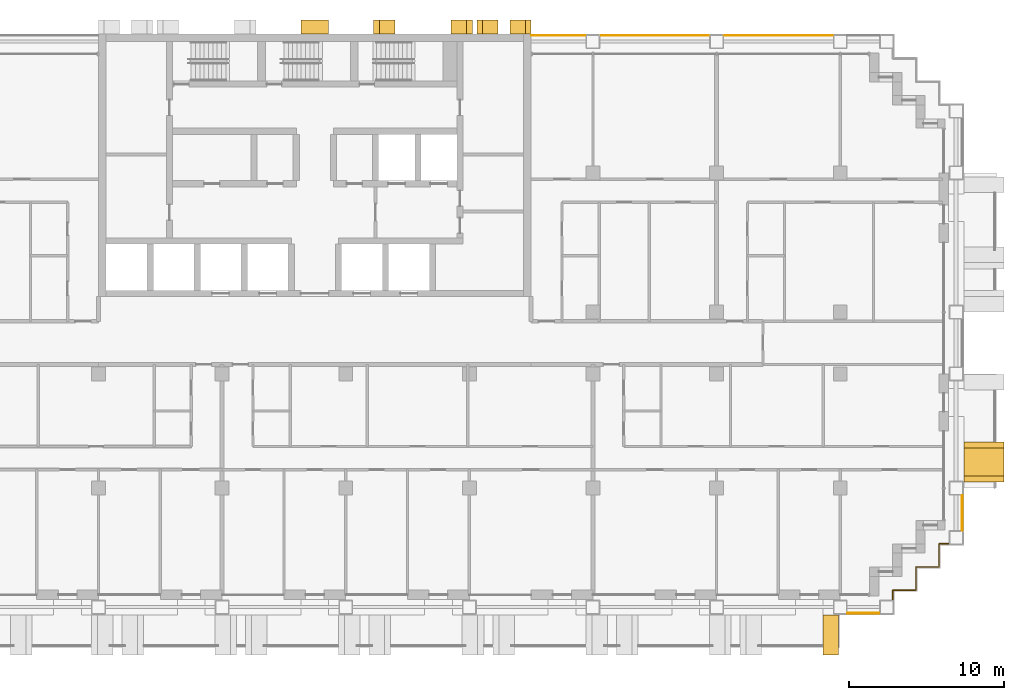
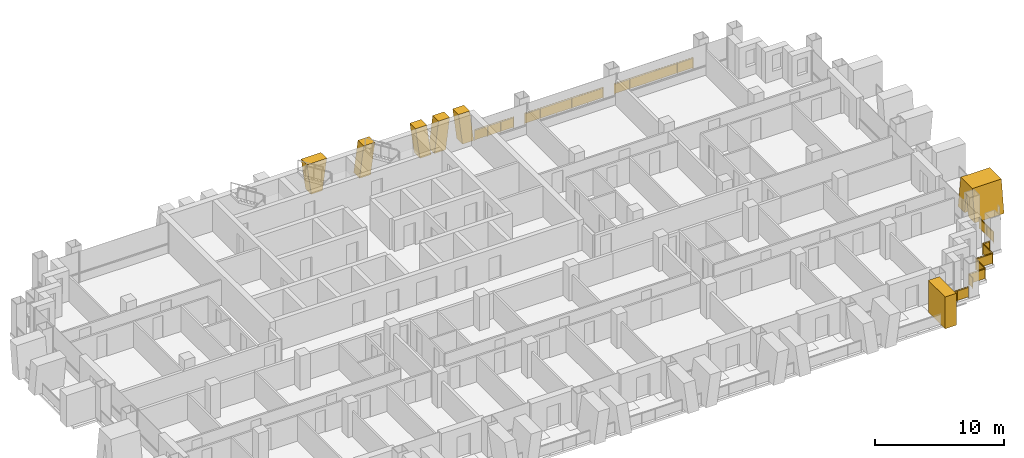
# One storey, part 18 of 19: 7 shading devices, 6 railings.
"""IFC4 building model written with IfcOpenShell, lengths in metres."""

from ifc_helpers import new_model, si_unit, direction, frame, origin, origin_2d, place, context, subcontext, project, spatial, polyline, rectangle, circle, outline, extrude, material, layer, layer_set, type_object, element, save


model = new_model("IFC4")

# Units and contexts
model_context = context("Model", 3, precision=1e-05, world=origin(), true_north=direction((0.0, 1.0)))
body_context = subcontext(model_context, "Body", "Model", "MODEL_VIEW")
ifc_project = project(units=[si_unit("LENGTHUNIT", "METRE"), si_unit("AREAUNIT", "SQUARE_METRE"), si_unit("VOLUMEUNIT", "CUBIC_METRE"), si_unit("PLANEANGLEUNIT", "RADIAN"), si_unit("MASSUNIT", "GRAM", prefix="KILO")], contexts=[model_context])

# Site, building, storey
site_placement = place(None, origin())
site = spatial("IfcSite", under=ifc_project, at=site_placement, CompositionType="ELEMENT")
building_placement = place(site_placement, origin())
building = spatial("IfcBuilding", under=site, at=building_placement, Name="Vidyagriha Tower", CompositionType="ELEMENT")
storey_placement = place(building_placement, frame((0.0, 0.0, 99.89990234375)))
storey = spatial("IfcBuildingStorey", under=building, at=storey_placement, Name="L26", CompositionType="ELEMENT", Elevation=99.89990234375)

# Shading devices
ifc_material_1 = material(Name="Precast concrete C40/50 with buff brick facing", Category="concrete")
ifc_layer_1 = layer(ifc_material_1, 1.0)
ifc_layer_set_1 = layer_set([ifc_layer_1], Name="Precast concrete C40/50 with buff brick facing")
shading_device_type_1 = type_object("IfcShadingDeviceType", Name="Brick-faced blade fin forking 8 degrees", PredefinedType="USERDEFINED", material=ifc_layer_set_1)
shading_device_1_placement = place(storey_placement, frame((43.300048828125, -9.0, 0.0), z_axis=(0.0, 0.0, 1.0), x_axis=(0.0, 1.0, 0.0)))
element("IfcShadingDevice", 1, at=shading_device_1_placement, inside=storey, type_object=shading_device_type_1, Name="Forked blade fin L26 R30.210a", ObjectType="BLADE FIN", PredefinedType="USERDEFINED", context=body_context, shape_type="SweptSolid", body=[
    extrude(outline(polyline([(1.0, 0.0), (1.300048828125, 2.25), (1.60009765625, 0.0), (2.60009765625, 0.0), (2.199951171875, 3.0), (0.39990234375, 3.0), (0.0, 0.0), (1.0, 0.0)])), frame((0.0, 1.300048828125, 0.0), z_axis=(0.0, -1.0, 0.0), x_axis=(1.0, 0.0, 0.0)), (0.0, 0.0, 1.0), 2.60009765625),
])
ifc_material_2 = material(Name="Precast concrete C40/50 with buff brick facing", Category="concrete")
ifc_layer_2 = layer(ifc_material_2, 1.0)
ifc_layer_set_2 = layer_set([ifc_layer_2], Name="Precast concrete C40/50 with buff brick facing")
shading_device_type_2 = type_object("IfcShadingDeviceType", Name="Brick-faced blade fin stem 1000", PredefinedType="USERDEFINED", material=ifc_layer_set_2)
shading_device_2_placement = place(storey_placement, frame((32.875, -18.89990234375, 0.0)))
element("IfcShadingDevice", 2, at=shading_device_2_placement, inside=storey, type_object=shading_device_type_2, Name="Stem blade fin L26 R23.5790a", ObjectType="BLADE FIN", PredefinedType="USERDEFINED", context=body_context, shape_type="SweptSolid", body=[
    extrude(outline(polyline([(0.0, 0.0), (1.0, 0.0), (1.0, 3.0), (0.0, 3.0), (0.0, 0.0)])), frame((0.0, 1.300048828125, 0.0), z_axis=(0.0, -1.0, 0.0), x_axis=(1.0, 0.0, 0.0)), (0.0, 0.0, 1.0), 2.60009765625),
])
ifc_material_3 = material(Name="Precast concrete C40/50 with brick facing", Category="concrete")
ifc_layer_3 = layer(ifc_material_3, 1.0)
ifc_layer_set_3 = layer_set([ifc_layer_3], Name="Precast concrete C40/50 with brick facing")
shading_device_type_3 = type_object("IfcShadingDeviceType", Name="Brick-faced rear rib arm leaning 8 degrees", PredefinedType="USERDEFINED", material=ifc_layer_set_3)
shading_device_3_placement = place(storey_placement, frame((11.857177734375, 20.449951171875, 0.0), z_axis=(0.0, 0.0, 1.0), x_axis=(-1.0, 0.0, 0.0)))
element("IfcShadingDevice", 3, at=shading_device_3_placement, inside=storey, type_object=shading_device_type_3, Name="Rear rib arm L26 R08.1a", ObjectType="BLADE FIN", PredefinedType="USERDEFINED", context=body_context, shape_type="SweptSolid", body=[
    extrude(outline(polyline([(0.357177734375, 0.0), (1.357177734375, 0.0), (1.0, 2.920166015625), (0.0, 2.920166015625), (0.357177734375, 0.0)])), frame((0.0, 0.449951171875, 0.0), z_axis=(0.0, -1.0, 0.0), x_axis=(1.0, 0.0, 0.0)), (0.0, 0.0, 1.0), 0.89990234375),
])
shading_device_4_placement = place(storey_placement, frame((14.0, 20.449951171875, 0.0), z_axis=(0.0, 0.0, 1.0), x_axis=(-1.0, 0.0, 0.0)))
element("IfcShadingDevice", 4, at=shading_device_4_placement, inside=storey, type_object=shading_device_type_3, Name="Rear rib arm L26 R08.1b", ObjectType="BLADE FIN", PredefinedType="USERDEFINED", context=body_context, shape_type="SweptSolid", body=[
    extrude(outline(polyline([(0.0, 0.0), (1.0, 0.0), (1.357177734375, 2.920166015625), (0.357177734375, 2.920166015625), (0.0, 0.0)])), frame((0.0, 0.449951171875, 0.0), z_axis=(0.0, -1.0, 0.0), x_axis=(1.0, 0.0, 0.0)), (0.0, 0.0, 1.0), 0.89990234375),
])
shading_device_5_placement = place(storey_placement, frame((5.185791015625, 20.449951171875, 0.0), z_axis=(0.0, 0.0, 1.0), x_axis=(-1.0, 0.0, 0.0)))
element("IfcShadingDevice", 5, at=shading_device_5_placement, inside=storey, type_object=shading_device_type_3, Name="Rear rib arm L26 R08.2a", ObjectType="BLADE FIN", PredefinedType="USERDEFINED", context=body_context, shape_type="SweptSolid", body=[
    extrude(outline(polyline([(0.3857421875, 0.0), (1.3857421875, 0.0), (1.0, 2.920166015625), (0.0, 2.920166015625), (0.3857421875, 0.0)])), frame((0.0, 0.449951171875, 0.0), z_axis=(0.0, -1.0, 0.0), x_axis=(1.0, 0.0, 0.0)), (0.0, 0.0, 1.0), 0.89990234375),
])
shading_device_6_placement = place(storey_placement, frame((10.199951171875, 20.449951171875, 0.0), z_axis=(0.0, 0.0, 1.0), x_axis=(-1.0, 0.0, 0.0)))
element("IfcShadingDevice", 6, at=shading_device_6_placement, inside=storey, type_object=shading_device_type_3, Name="Rear rib arm L26 R08.2b", ObjectType="BLADE FIN", PredefinedType="USERDEFINED", context=body_context, shape_type="SweptSolid", body=[
    extrude(outline(polyline([(0.0, 0.0), (1.0, 0.0), (1.3857421875, 2.920166015625), (0.3857421875, 2.920166015625), (0.0, 0.0)])), frame((0.0, 0.449951171875, 0.0), z_axis=(0.0, -1.0, 0.0), x_axis=(1.0, 0.0, 0.0)), (0.0, 0.0, 1.0), 0.89990234375),
])
ifc_material_4 = material(Name="Precast concrete C40/50 with brick facing", Category="concrete")
ifc_layer_4 = layer(ifc_material_4, 1.0)
ifc_layer_set_4 = layer_set([ifc_layer_4], Name="Precast concrete C40/50 with brick facing")
shading_device_type_4 = type_object("IfcShadingDeviceType", Name="Brick-faced rear rib forking 8 degrees", PredefinedType="USERDEFINED", material=ifc_layer_set_4)
shading_device_7_placement = place(storey_placement, frame((0.8857421875, 20.449951171875, 0.0), z_axis=(0.0, 0.0, 1.0), x_axis=(-1.0, 0.0, 0.0)))
element("IfcShadingDevice", 7, at=shading_device_7_placement, inside=storey, type_object=shading_device_type_4, Name="Rear rib fork L26 R08.3a", ObjectType="BLADE FIN", PredefinedType="USERDEFINED", context=body_context, shape_type="SweptSolid", body=[
    extrude(outline(polyline([(0.3857421875, 0.0), (1.3857421875, 0.0), (1.771484375, 2.920166015625), (0.0, 2.920166015625), (0.3857421875, 0.0)])), frame((0.0, 0.449951171875, 0.0), z_axis=(0.0, -1.0, 0.0), x_axis=(1.0, 0.0, 0.0)), (0.0, 0.0, 1.0), 0.89990234375),
])

# Railings
ifc_material_5 = material(Name="Steel ASTM A500 Grade C black painted", Category="steel")
railing_type = type_object("IfcRailingType", Name="Gallery guard 1100", PredefinedType="GUARDRAIL", material=ifc_material_5)
railing_1_placement = place(storey_placement, frame((14.030029296875, 19.89990234375, 0.0)))
element("IfcRailing", 8, at=railing_1_placement, inside=storey, type_object=railing_type, Name="Gallery guard L26 9", PredefinedType="GUARDRAIL", context=body_context, shape_type="SweptSolid", body=[
    extrude(circle(Radius=0.02490234375, at=origin_2d()), frame((0.0, 0.0, 1.0751953125), z_axis=(1.0, 0.0, 0.0), x_axis=(0.0, 1.0, 0.0)), (0.0, 0.0, 1.0), 3.489990234375),
    extrude(circle(Radius=0.02001953125, at=origin_2d()), origin(), (0.0, 0.0, 1.0), 1.050048828125),
    extrude(circle(Radius=0.02001953125, at=origin_2d()), frame((1.163330078125, 0.0, 0.0)), (0.0, 0.0, 1.0), 1.050048828125),
    extrude(circle(Radius=0.02001953125, at=origin_2d()), frame((2.32666015625, 0.0, 0.0)), (0.0, 0.0, 1.0), 1.050048828125),
    extrude(circle(Radius=0.02001953125, at=origin_2d()), frame((3.489990234375, 0.0, 0.0)), (0.0, 0.0, 1.0), 1.050048828125),
    extrude(rectangle(XDim=0.010009765625, YDim=0.900146484375, at=origin_2d()), frame((0.0, 0.0, 0.550048828125), z_axis=(1.0, 0.0, 0.0), x_axis=(0.0, 1.0, 0.0)), (0.0, 0.0, 1.0), 3.489990234375),
])
for number, where, name in (
    (9, (18.47998046875, 19.89990234375, 0.0), "Gallery guard L26 10"),
    (10, (26.47998046875, 19.89990234375, 0.0), "Gallery guard L26 11"),
):
    element("IfcRailing", number, at=place(storey_placement, frame(where)), inside=storey, type_object=railing_type, Name=name, PredefinedType="GUARDRAIL", context=body_context, shape_type="SweptSolid", body=[
        extrude(circle(Radius=0.02490234375, at=origin_2d()), frame((0.0, 0.0, 1.0751953125), z_axis=(1.0, 0.0, 0.0), x_axis=(0.0, 1.0, 0.0)), (0.0, 0.0, 1.0), 7.0400390625),
        extrude(circle(Radius=0.02001953125, at=origin_2d()), origin(), (0.0, 0.0, 1.0), 1.050048828125),
        extrude(circle(Radius=0.02001953125, at=origin_2d()), frame((1.407958984375, 0.0, 0.0)), (0.0, 0.0, 1.0), 1.050048828125),
        extrude(circle(Radius=0.02001953125, at=origin_2d()), frame((2.81591796875, 0.0, 0.0)), (0.0, 0.0, 1.0), 1.050048828125),
        extrude(circle(Radius=0.02001953125, at=origin_2d()), frame((4.22412109375, 0.0, 0.0)), (0.0, 0.0, 1.0), 1.050048828125),
        extrude(circle(Radius=0.02001953125, at=origin_2d()), frame((5.632080078125, 0.0, 0.0)), (0.0, 0.0, 1.0), 1.050048828125),
        extrude(circle(Radius=0.02001953125, at=origin_2d()), frame((7.0400390625, 0.0, 0.0)), (0.0, 0.0, 1.0), 1.050048828125),
        extrude(rectangle(XDim=0.010009765625, YDim=0.900146484375, at=origin_2d()), frame((0.0, 0.0, 0.550048828125), z_axis=(1.0, 0.0, 0.0), x_axis=(0.0, 1.0, 0.0)), (0.0, 0.0, 1.0), 7.0400390625),
    ])
railing_2_placement = place(storey_placement, frame((36.52001953125, -17.5, 0.0)))
element("IfcRailing", 11, at=railing_2_placement, inside=storey, type_object=railing_type, Name="Gallery guard L26 12", PredefinedType="GUARDRAIL", context=body_context, shape_type="SweptSolid", body=[
    extrude(circle(Radius=0.02490234375, at=origin_2d()), frame((0.0, 0.0, 1.0751953125), z_axis=(-1.0, 0.0, 0.0), x_axis=(0.0, -1.0, 0.0)), (0.0, 0.0, 1.0), 2.0400390625),
    extrude(circle(Radius=0.02001953125, at=origin_2d()), origin(), (0.0, 0.0, 1.0), 1.050048828125),
    extrude(circle(Radius=0.02001953125, at=origin_2d()), frame((-1.02001953125, 0.0, 0.0)), (0.0, 0.0, 1.0), 1.050048828125),
    extrude(circle(Radius=0.02001953125, at=origin_2d()), frame((-2.0400390625, 0.0, 0.0)), (0.0, 0.0, 1.0), 1.050048828125),
    extrude(rectangle(XDim=0.010009765625, YDim=0.900146484375, at=origin_2d()), frame((0.0, 0.0, 0.550048828125), z_axis=(-1.0, 0.0, 0.0), x_axis=(0.0, -1.0, 0.0)), (0.0, 0.0, 1.0), 2.0400390625),
])
railing_3_placement = place(storey_placement, frame((41.02001953125, -13.0, 0.0)))
element("IfcRailing", 12, at=railing_3_placement, inside=storey, type_object=railing_type, Name="Gallery guard L26 14", PredefinedType="GUARDRAIL", context=body_context, shape_type="SweptSolid", body=[
    extrude(circle(Radius=0.02490234375, at=origin_2d()), frame((0.0, 0.0, 1.0751953125), z_axis=(-1.0, 0.0, 0.0), x_axis=(0.0, -1.0, 0.0)), (0.0, 0.0, 1.0), 0.6201171875),
    extrude(circle(Radius=0.02490234375, at=origin_2d()), frame((-0.6201171875, 0.0, 1.0751953125), z_axis=(0.0, -1.0, 0.0), x_axis=(1.0, 0.0, 0.0)), (0.0, 0.0, 1.0), 1.5),
    extrude(circle(Radius=0.02490234375, at=origin_2d()), frame((-0.6201171875, -1.5, 1.0751953125), z_axis=(-1.0, 0.0, 0.0), x_axis=(0.0, -1.0, 0.0)), (0.0, 0.0, 1.0), 1.5),
    extrude(circle(Radius=0.02490234375, at=origin_2d()), frame((-2.1201171875, -1.5, 1.0751953125), z_axis=(0.0, -1.0, 0.0), x_axis=(1.0, 0.0, 0.0)), (0.0, 0.0, 1.0), 1.5),
    extrude(circle(Radius=0.02490234375, at=origin_2d()), frame((-2.1201171875, -3.0, 1.0751953125), z_axis=(-1.0, 0.0, 0.0), x_axis=(0.0, -1.0, 0.0)), (0.0, 0.0, 1.0), 1.5),
    extrude(circle(Radius=0.02490234375, at=origin_2d()), frame((-3.6201171875, -3.0, 1.0751953125), z_axis=(0.0, -1.0, 0.0), x_axis=(1.0, 0.0, 0.0)), (0.0, 0.0, 1.0), 0.6201171875),
    extrude(circle(Radius=0.02001953125, at=origin_2d()), origin(), (0.0, 0.0, 1.0), 1.050048828125),
    extrude(circle(Radius=0.02001953125, at=origin_2d()), frame((-0.6201171875, 0.0, 0.0)), (0.0, 0.0, 1.0), 1.050048828125),
    extrude(circle(Radius=0.02001953125, at=origin_2d()), frame((-0.6201171875, -1.5, 0.0)), (0.0, 0.0, 1.0), 1.050048828125),
    extrude(circle(Radius=0.02001953125, at=origin_2d()), frame((-2.1201171875, -1.5, 0.0)), (0.0, 0.0, 1.0), 1.050048828125),
    extrude(circle(Radius=0.02001953125, at=origin_2d()), frame((-2.1201171875, -3.0, 0.0)), (0.0, 0.0, 1.0), 1.050048828125),
    extrude(circle(Radius=0.02001953125, at=origin_2d()), frame((-3.6201171875, -3.0, 0.0)), (0.0, 0.0, 1.0), 1.050048828125),
    extrude(circle(Radius=0.02001953125, at=origin_2d()), frame((-3.6201171875, -3.6201171875, 0.0)), (0.0, 0.0, 1.0), 1.050048828125),
    extrude(rectangle(XDim=0.010009765625, YDim=0.900146484375, at=origin_2d()), frame((0.0, 0.0, 0.550048828125), z_axis=(-1.0, 0.0, 0.0), x_axis=(0.0, -1.0, 0.0)), (0.0, 0.0, 1.0), 0.6201171875),
    extrude(rectangle(XDim=0.010009765625, YDim=0.900146484375, at=origin_2d()), frame((-0.6201171875, 0.0, 0.550048828125), z_axis=(0.0, -1.0, 0.0), x_axis=(1.0, 0.0, 0.0)), (0.0, 0.0, 1.0), 1.5),
    extrude(rectangle(XDim=0.010009765625, YDim=0.900146484375, at=origin_2d()), frame((-0.6201171875, -1.5, 0.550048828125), z_axis=(-1.0, 0.0, 0.0), x_axis=(0.0, -1.0, 0.0)), (0.0, 0.0, 1.0), 1.5),
    extrude(rectangle(XDim=0.010009765625, YDim=0.900146484375, at=origin_2d()), frame((-2.1201171875, -1.5, 0.550048828125), z_axis=(0.0, -1.0, 0.0), x_axis=(1.0, 0.0, 0.0)), (0.0, 0.0, 1.0), 1.5),
    extrude(rectangle(XDim=0.010009765625, YDim=0.900146484375, at=origin_2d()), frame((-2.1201171875, -3.0, 0.550048828125), z_axis=(-1.0, 0.0, 0.0), x_axis=(0.0, -1.0, 0.0)), (0.0, 0.0, 1.0), 1.5),
    extrude(rectangle(XDim=0.010009765625, YDim=0.900146484375, at=origin_2d()), frame((-3.6201171875, -3.0, 0.550048828125), z_axis=(0.0, -1.0, 0.0), x_axis=(1.0, 0.0, 0.0)), (0.0, 0.0, 1.0), 0.6201171875),
])
railing_4_placement = place(storey_placement, frame((41.89990234375, -9.8798828125, 0.0)))
element("IfcRailing", 13, at=railing_4_placement, inside=storey, type_object=railing_type, Name="Gallery guard L26 16", PredefinedType="GUARDRAIL", context=body_context, shape_type="SweptSolid", body=[
    extrude(circle(Radius=0.02490234375, at=origin_2d()), frame((0.0, 0.0, 1.0751953125), z_axis=(0.0, -1.0, 0.0), x_axis=(1.0, 0.0, 0.0)), (0.0, 0.0, 1.0), 2.240234375),
    extrude(circle(Radius=0.02001953125, at=origin_2d()), origin(), (0.0, 0.0, 1.0), 1.050048828125),
    extrude(circle(Radius=0.02001953125, at=origin_2d()), frame((0.0, -1.1201171875, 0.0)), (0.0, 0.0, 1.0), 1.050048828125),
    extrude(circle(Radius=0.02001953125, at=origin_2d()), frame((0.0, -2.240234375, 0.0)), (0.0, 0.0, 1.0), 1.050048828125),
    extrude(rectangle(XDim=0.010009765625, YDim=0.900146484375, at=origin_2d()), frame((0.0, 0.0, 0.550048828125), z_axis=(0.0, -1.0, 0.0), x_axis=(1.0, 0.0, 0.0)), (0.0, 0.0, 1.0), 2.240234375),
])

save(model, "model.ifc")
